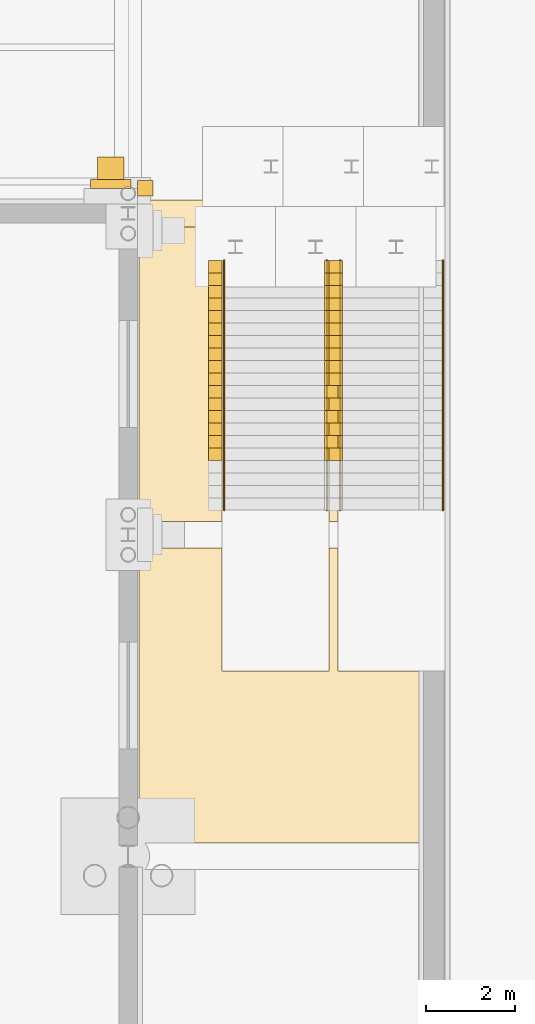
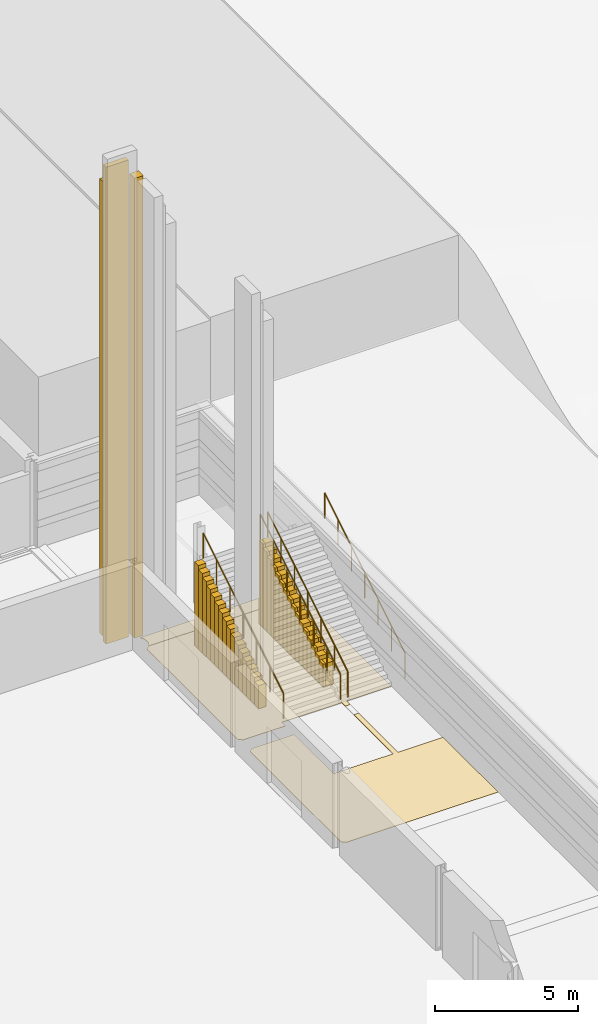
# One storey, part 137 of 148: 54 coverings, 4 railings.
"""IFC4 building model written with IfcOpenShell, lengths in metres."""

import ifcopenshell
import ifcopenshell.guid

model = None  # the IFC model being written
_history = None  # IfcOwnerHistory: only IFC2X3 demands one
_inside = {}  # id of a spatial element -> (the spatial element, [elements in it])
_under = {}  # id of a project, library or spatial element -> (it, [spatial elements below it])
_declared = {}  # id of a project -> (the project, [libraries it declares])
_typed = {}  # id of a type object -> (the type object, [elements of that type])
_made_of = {}  # id of a material, layer set ... -> (it, [elements and type objects made of it])


def new_model(schema):
    """Start an empty IFC model of exactly this schema.

    Asked for "IFC4X3", IfcOpenShell would pick the latest addendum, in which some entities
    have other attributes; the version numbers below select the first issue.
    IFC2X3 requires an IfcOwnerHistory on every rooted entity: one is made here for all.
    """
    global model, _history
    if schema == "IFC4X3":
        model = ifcopenshell.file(schema_version=(4, 3, 0, 0))
    else:
        model = ifcopenshell.file(schema=schema)
    _inside.clear()
    _under.clear()
    _declared.clear()
    _typed.clear()
    _made_of.clear()
    _history = None
    if model.schema == "IFC2X3":
        org = make("IfcOrganization", Name="unknown")
        user = make(
            "IfcPersonAndOrganization",
            ThePerson=make("IfcPerson", FamilyName="unknown"),
            TheOrganization=org,
        )
        app = make(
            "IfcApplication",
            ApplicationDeveloper=org,
            Version="unknown",
            ApplicationFullName="unknown",
            ApplicationIdentifier="unknown",
        )
        _history = make(
            "IfcOwnerHistory",
            OwningUser=user,
            OwningApplication=app,
            ChangeAction="ADDED",
            CreationDate=0,
        )
    return model


def make(cls, **values):
    """One entity of the class cls with the attributes given. An attribute that is None is left unset."""
    return model.create_entity(
        cls, **{name: value for name, value in values.items() if value is not None}
    )


def rooted(cls, **values):
    """An entity with a GlobalId (a new one), such as an element, a storey or a relation."""
    return make(cls, GlobalId=ifcopenshell.guid.new(), OwnerHistory=_history, **values)


def si_unit(unit_type, name, prefix=None):
    """IfcSIUnit, for example si_unit("LENGTHUNIT", "METRE", prefix="MILLI")."""
    return make("IfcSIUnit", UnitType=unit_type, Prefix=prefix, Name=name)


def assignment(units):
    """IfcUnitAssignment: the units of a project."""
    return None if units is None else make("IfcUnitAssignment", Units=units)


def point(xyz):
    """IfcCartesianPoint."""
    return None if xyz is None else make("IfcCartesianPoint", Coordinates=xyz)


def direction(xyz):
    """IfcDirection."""
    return None if xyz is None else make("IfcDirection", DirectionRatios=xyz)


def frame(location, z_axis=None, x_axis=None):
    """IfcAxis2Placement3D, a coordinate frame: its origin and axes. An axis left out is left unset."""
    return make(
        "IfcAxis2Placement3D",
        Location=point(location),
        Axis=direction(z_axis),
        RefDirection=direction(x_axis),
    )


def frame_2d(location, x_axis=None):
    """IfcAxis2Placement2D, a coordinate frame in the plane: its origin and x axis."""
    return make(
        "IfcAxis2Placement2D", Location=point(location), RefDirection=direction(x_axis)
    )


def origin():
    """The frame at (0, 0, 0) with its axes left unset."""
    return frame((0.0, 0.0, 0.0))


def origin_2d():
    """The frame at (0, 0) in the plane with its x axis left unset."""
    return frame_2d((0.0, 0.0))


def place(relative_to, where):
    """IfcLocalPlacement: puts the frame where relative to a parent placement (None: the world)."""
    return make(
        "IfcLocalPlacement", PlacementRelTo=relative_to, RelativePlacement=where
    )


def context(
    kind, dimensions, precision=None, world=None, true_north=None, identifier=None
):
    """IfcGeometricRepresentationContext, for example the 3D "Model" context."""
    return make(
        "IfcGeometricRepresentationContext",
        ContextIdentifier=identifier,
        ContextType=kind,
        CoordinateSpaceDimension=dimensions,
        Precision=precision,
        WorldCoordinateSystem=world,
        TrueNorth=true_north,
    )


def subcontext(parent, identifier, kind, view, scale=None):
    """IfcGeometricRepresentationSubContext, for example "Body" below "Model"."""
    return make(
        "IfcGeometricRepresentationSubContext",
        ContextIdentifier=identifier,
        ContextType=kind,
        ParentContext=parent,
        TargetScale=scale,
        TargetView=view,
    )


def project(units=None, contexts=None):
    """IfcProject with its units and contexts."""
    return rooted(
        "IfcProject",
        Name="project",
        RepresentationContexts=contexts,
        UnitsInContext=assignment(units),
    )


def spatial(cls, under=None, at=None, **own):
    """A site, building, storey or space (cls), placed at a placement, below another one or the project."""
    s = rooted(cls, ObjectPlacement=at, **own)
    if under is not None:
        _under.setdefault(under.id(), (under, []))[1].append(s)
    return s


def polyline(points):
    """IfcPolyline through the points."""
    return make("IfcPolyline", Points=[point(p) for p in points])


def profile(cls, at=None, kind="AREA", **sizes):
    """A parametric profile (cls). Its sizes go by their IFC names, for example OverallWidth=200.0."""
    return make(cls, ProfileType=kind, Position=at, **sizes)


def rectangle(**sizes):
    """IfcRectangleProfileDef."""
    return profile("IfcRectangleProfileDef", **sizes)


def circle(**sizes):
    """IfcCircleProfileDef."""
    return profile("IfcCircleProfileDef", **sizes)


def outline(outer, holes=None, kind="AREA"):
    """IfcArbitraryClosedProfileDef: a profile drawn as a closed curve; with holes, ...WithVoids."""
    if holes is None:
        return make("IfcArbitraryClosedProfileDef", ProfileType=kind, OuterCurve=outer)
    return make(
        "IfcArbitraryProfileDefWithVoids",
        ProfileType=kind,
        OuterCurve=outer,
        InnerCurves=holes,
    )


def extrude(swept, where, along, depth):
    """IfcExtrudedAreaSolid: the profile swept, set in the frame where, extruded along a direction by depth."""
    return make(
        "IfcExtrudedAreaSolid",
        SweptArea=swept,
        Position=where,
        ExtrudedDirection=direction(along),
        Depth=depth,
    )


def shape(context_of_items, identifier, shape_type, items):
    """IfcShapeRepresentation: the items that make up one representation, for example the "Body"."""
    return make(
        "IfcShapeRepresentation",
        ContextOfItems=context_of_items,
        RepresentationIdentifier=identifier,
        RepresentationType=shape_type,
        Items=items,
    )


def material(Name=None, Category=None):
    """IfcMaterial."""
    return make("IfcMaterial", Name=Name, Category=Category)


def layer(
    of_material, thickness, ventilated=None, Name=None, Category=None, Priority=None
):
    """IfcMaterialLayer: one layer of a wall or slab, of a material (None: an air gap)."""
    return make(
        "IfcMaterialLayer",
        Material=of_material,
        LayerThickness=thickness,
        IsVentilated=ventilated,
        Name=Name,
        Category=Category,
        Priority=Priority,
    )


def layer_set(layers, Name=None):
    """IfcMaterialLayerSet."""
    return make("IfcMaterialLayerSet", MaterialLayers=layers, LayerSetName=Name)


def made_of(thing, what):
    """Note that an element or type object is made of a material, layer set ...; save() writes the relation."""
    if what is not None:
        _made_of.setdefault(what.id(), (what, []))[1].append(thing)
    return thing


def type_object(cls, material=None, **own):
    """A type object (cls), such as IfcWallType, which elements share."""
    return made_of(rooted(cls, **own), material)


def element(
    cls,
    number,
    at=None,
    inside=None,
    cuts=None,
    type_object=None,
    material=None,
    context=None,
    identifier="Body",
    shape_type=None,
    held_by="IfcProductDefinitionShape",
    body=None,
    shapes=None,
    **own,
):
    """One element of the class cls, such as IfcWall. Its Tag is "e" and its number.

    at: its placement. inside: the storey or other place that contains it. cuts: it is an
    opening in that element (IfcRelVoidsElement). A single representation is given by context,
    identifier, shape_type and body (its items); several are given by shapes. held_by: the class
    of the entity that holds the representations. save() writes the other relations.
    """
    e = rooted(cls, Tag="e%d" % number, ObjectPlacement=at, **own)
    if body is not None:
        shapes = [shape(context, identifier, shape_type, body)]
    if shapes is not None:
        e.Representation = make(held_by, Representations=shapes)
    if inside is not None:
        _inside.setdefault(inside.id(), (inside, []))[1].append(e)
    if cuts is not None:
        rooted(
            "IfcRelVoidsElement", RelatingBuildingElement=cuts, RelatedOpeningElement=e
        )
    if type_object is not None:
        _typed.setdefault(type_object.id(), (type_object, []))[1].append(e)
    return made_of(e, material)


def aggregate(whole, parts):
    """IfcRelAggregates: a whole, such as a stair, and the parts it consists of."""
    return rooted("IfcRelAggregates", RelatingObject=whole, RelatedObjects=parts)


def save(model, path):
    """Write the relations noted so far, then the file.

    IfcRelAggregates (storeys below a building ...), IfcRelContainedInSpatialStructure (elements
    in a storey), IfcRelDefinesByType, IfcRelAssociatesMaterial and IfcRelDeclares: one each for
    every whole, place, type object, material and project.
    """
    for whole, parts in _under.values():
        aggregate(whole, parts)
    for where, things in _inside.values():
        rooted(
            "IfcRelContainedInSpatialStructure",
            RelatedElements=things,
            RelatingStructure=where,
        )
    for kind, things in _typed.values():
        rooted("IfcRelDefinesByType", RelatedObjects=things, RelatingType=kind)
    for what, things in _made_of.values():
        rooted("IfcRelAssociatesMaterial", RelatedObjects=things, RelatingMaterial=what)
    for by, libraries in _declared.values():
        rooted("IfcRelDeclares", RelatingContext=by, RelatedDefinitions=libraries)
    model.write(path)


model = new_model("IFC4")

# Units and contexts
model_context = context("Model", 3, precision=1e-05, world=origin(), true_north=direction((0.0, 1.0)))
body_context = subcontext(model_context, "Body", "Model", "MODEL_VIEW")
ifc_project = project(units=[si_unit("LENGTHUNIT", "METRE"), si_unit("AREAUNIT", "SQUARE_METRE"), si_unit("VOLUMEUNIT", "CUBIC_METRE"), si_unit("PLANEANGLEUNIT", "RADIAN"), si_unit("MASSUNIT", "GRAM", prefix="KILO")], contexts=[model_context])

# Site, building, storey
site_placement = place(None, origin())
site = spatial("IfcSite", under=ifc_project, at=site_placement, CompositionType="ELEMENT")
building_placement = place(site_placement, origin())
building = spatial("IfcBuilding", under=site, at=building_placement, Name="Kupolbacken Congress Centre", CompositionType="ELEMENT")
storey_placement = place(building_placement, origin())
storey = spatial("IfcBuildingStorey", under=building, at=storey_placement, Name="L00", CompositionType="ELEMENT", Elevation=0.0)

# Coverings
ifc_material_1 = material(Name="Limestone cladding", Category="masonry")
ifc_layer_1 = layer(ifc_material_1, 0.1201171875)
ifc_layer_set_1 = layer_set([ifc_layer_1], Name="Limestone cladding")
covering_type_1 = type_object("IfcCoveringType", Name="CV1 limestone cladding band 120", PredefinedType="CLADDING", material=ifc_layer_set_1)
covering_1_placement = place(storey_placement, frame((0.0, 0.0, 0.02001953125)))
element("IfcCovering", 1, at=covering_1_placement, inside=storey, type_object=covering_type_1, Name="Stair cheek wall", PredefinedType="CLADDING", context=body_context, shape_type="SweptSolid", body=[
    extrude(outline(polyline([(206.10009765625, 109.669921875), (206.10009765625, 109.949951171875), (206.39990234375, 109.949951171875), (206.39990234375, 109.669921875), (206.10009765625, 109.669921875)])), origin(), (0.0, 0.0, 1.0), 0.987060546875),
])
covering_2_placement = place(storey_placement, frame((0.0, 0.0, 0.02001953125)))
element("IfcCovering", 2, at=covering_2_placement, inside=storey, type_object=covering_type_1, Name="Stair cheek wall", PredefinedType="CLADDING", context=body_context, shape_type="SweptSolid", body=[
    extrude(outline(polyline([(206.10009765625, 109.949951171875), (206.10009765625, 110.22998046875), (206.39990234375, 110.22998046875), (206.39990234375, 109.949951171875), (206.10009765625, 109.949951171875)])), origin(), (0.0, 0.0, 1.0), 1.158447265625),
])
covering_3_placement = place(storey_placement, frame((0.0, 0.0, 0.02001953125)))
element("IfcCovering", 3, at=covering_3_placement, inside=storey, type_object=covering_type_1, Name="Stair cheek wall", PredefinedType="CLADDING", context=body_context, shape_type="SweptSolid", body=[
    extrude(outline(polyline([(206.10009765625, 110.22998046875), (206.10009765625, 110.510009765625), (206.39990234375, 110.510009765625), (206.39990234375, 110.22998046875), (206.10009765625, 110.22998046875)])), origin(), (0.0, 0.0, 1.0), 1.329833984375),
])
covering_4_placement = place(storey_placement, frame((0.0, 0.0, 0.02001953125)))
element("IfcCovering", 4, at=covering_4_placement, inside=storey, type_object=covering_type_1, Name="Stair cheek wall", PredefinedType="CLADDING", context=body_context, shape_type="SweptSolid", body=[
    extrude(outline(polyline([(206.10009765625, 110.510009765625), (206.10009765625, 110.7900390625), (206.39990234375, 110.7900390625), (206.39990234375, 110.510009765625), (206.10009765625, 110.510009765625)])), origin(), (0.0, 0.0, 1.0), 1.501220703125),
])
covering_5_placement = place(storey_placement, frame((0.0, 0.0, 0.02001953125)))
element("IfcCovering", 5, at=covering_5_placement, inside=storey, type_object=covering_type_1, Name="Stair cheek wall", PredefinedType="CLADDING", context=body_context, shape_type="SweptSolid", body=[
    extrude(outline(polyline([(206.10009765625, 110.7900390625), (206.10009765625, 111.070068359375), (206.39990234375, 111.070068359375), (206.39990234375, 110.7900390625), (206.10009765625, 110.7900390625)])), origin(), (0.0, 0.0, 1.0), 1.672607421875),
])
covering_6_placement = place(storey_placement, frame((0.0, 0.0, 0.02001953125)))
element("IfcCovering", 6, at=covering_6_placement, inside=storey, type_object=covering_type_1, Name="Stair cheek wall", PredefinedType="CLADDING", context=body_context, shape_type="SweptSolid", body=[
    extrude(outline(polyline([(206.10009765625, 111.070068359375), (206.10009765625, 111.35009765625), (206.39990234375, 111.35009765625), (206.39990234375, 111.070068359375), (206.10009765625, 111.070068359375)])), origin(), (0.0, 0.0, 1.0), 1.843994140625),
])
covering_7_placement = place(storey_placement, frame((0.0, 0.0, 0.02001953125)))
element("IfcCovering", 7, at=covering_7_placement, inside=storey, type_object=covering_type_1, Name="Stair cheek wall", PredefinedType="CLADDING", context=body_context, shape_type="SweptSolid", body=[
    extrude(outline(polyline([(206.10009765625, 111.35009765625), (206.10009765625, 111.6298828125), (206.39990234375, 111.6298828125), (206.39990234375, 111.35009765625), (206.10009765625, 111.35009765625)])), origin(), (0.0, 0.0, 1.0), 2.015380859375),
])
covering_8_placement = place(storey_placement, frame((0.0, 0.0, 0.02001953125)))
element("IfcCovering", 8, at=covering_8_placement, inside=storey, type_object=covering_type_1, Name="Stair cheek wall", PredefinedType="CLADDING", context=body_context, shape_type="SweptSolid", body=[
    extrude(outline(polyline([(206.10009765625, 111.6298828125), (206.10009765625, 111.909912109375), (206.39990234375, 111.909912109375), (206.39990234375, 111.6298828125), (206.10009765625, 111.6298828125)])), origin(), (0.0, 0.0, 1.0), 2.186767578125),
])
covering_9_placement = place(storey_placement, frame((0.0, 0.0, 0.02001953125)))
element("IfcCovering", 9, at=covering_9_placement, inside=storey, type_object=covering_type_1, Name="Stair cheek wall", PredefinedType="CLADDING", context=body_context, shape_type="SweptSolid", body=[
    extrude(outline(polyline([(206.10009765625, 111.909912109375), (206.10009765625, 112.18994140625), (206.39990234375, 112.18994140625), (206.39990234375, 111.909912109375), (206.10009765625, 111.909912109375)])), origin(), (0.0, 0.0, 1.0), 2.358154296875),
])
covering_10_placement = place(storey_placement, frame((0.0, 0.0, 0.02001953125)))
element("IfcCovering", 10, at=covering_10_placement, inside=storey, type_object=covering_type_1, Name="Stair cheek wall", PredefinedType="CLADDING", context=body_context, shape_type="SweptSolid", body=[
    extrude(outline(polyline([(206.10009765625, 112.18994140625), (206.10009765625, 112.469970703125), (206.39990234375, 112.469970703125), (206.39990234375, 112.18994140625), (206.10009765625, 112.18994140625)])), origin(), (0.0, 0.0, 1.0), 2.529541015625),
])
covering_11_placement = place(storey_placement, frame((0.0, 0.0, 0.02001953125)))
element("IfcCovering", 11, at=covering_11_placement, inside=storey, type_object=covering_type_1, Name="Stair cheek wall", PredefinedType="CLADDING", context=body_context, shape_type="SweptSolid", body=[
    extrude(outline(polyline([(206.10009765625, 112.469970703125), (206.10009765625, 112.75), (206.39990234375, 112.75), (206.39990234375, 112.469970703125), (206.10009765625, 112.469970703125)])), origin(), (0.0, 0.0, 1.0), 2.700927734375),
])
covering_12_placement = place(storey_placement, frame((0.0, 0.0, 0.02001953125)))
element("IfcCovering", 12, at=covering_12_placement, inside=storey, type_object=covering_type_1, Name="Stair cheek wall", PredefinedType="CLADDING", context=body_context, shape_type="SweptSolid", body=[
    extrude(outline(polyline([(206.10009765625, 112.75), (206.10009765625, 113.030029296875), (206.39990234375, 113.030029296875), (206.39990234375, 112.75), (206.10009765625, 112.75)])), origin(), (0.0, 0.0, 1.0), 2.872314453125),
])
covering_13_placement = place(storey_placement, frame((0.0, 0.0, 0.02001953125)))
element("IfcCovering", 13, at=covering_13_placement, inside=storey, type_object=covering_type_1, Name="Stair cheek wall", PredefinedType="CLADDING", context=body_context, shape_type="SweptSolid", body=[
    extrude(outline(polyline([(206.10009765625, 113.030029296875), (206.10009765625, 113.31005859375), (206.39990234375, 113.31005859375), (206.39990234375, 113.030029296875), (206.10009765625, 113.030029296875)])), origin(), (0.0, 0.0, 1.0), 3.043701171875),
])
covering_14_placement = place(storey_placement, frame((0.0, 0.0, 0.02001953125)))
element("IfcCovering", 14, at=covering_14_placement, inside=storey, type_object=covering_type_1, Name="Stair cheek wall", PredefinedType="CLADDING", context=body_context, shape_type="SweptSolid", body=[
    extrude(outline(polyline([(206.10009765625, 113.31005859375), (206.10009765625, 113.590087890625), (206.39990234375, 113.590087890625), (206.39990234375, 113.31005859375), (206.10009765625, 113.31005859375)])), origin(), (0.0, 0.0, 1.0), 3.215087890625),
])
covering_15_placement = place(storey_placement, frame((0.0, 0.0, 0.02001953125)))
element("IfcCovering", 15, at=covering_15_placement, inside=storey, type_object=covering_type_1, Name="Stair cheek wall", PredefinedType="CLADDING", context=body_context, shape_type="SweptSolid", body=[
    extrude(outline(polyline([(206.10009765625, 113.590087890625), (206.10009765625, 113.8701171875), (206.39990234375, 113.8701171875), (206.39990234375, 113.590087890625), (206.10009765625, 113.590087890625)])), origin(), (0.0, 0.0, 1.0), 3.386474609375),
])
covering_16_placement = place(storey_placement, frame((0.0, 0.0, 0.02001953125)))
element("IfcCovering", 16, at=covering_16_placement, inside=storey, type_object=covering_type_1, Name="Stair cheek wall", PredefinedType="CLADDING", context=body_context, shape_type="SweptSolid", body=[
    extrude(outline(polyline([(206.10009765625, 113.8701171875), (206.10009765625, 114.14990234375), (206.39990234375, 114.14990234375), (206.39990234375, 113.8701171875), (206.10009765625, 113.8701171875)])), origin(), (0.0, 0.0, 1.0), 3.557861328125),
])
covering_17_placement = place(storey_placement, frame((0.0, 0.0, 0.02001953125)))
element("IfcCovering", 17, at=covering_17_placement, inside=storey, type_object=covering_type_1, Name="Stair cheek wall", PredefinedType="CLADDING", context=body_context, shape_type="SweptSolid", body=[
    extrude(outline(polyline([(203.699951171875, 109.669921875), (203.699951171875, 109.949951171875), (203.39990234375, 109.949951171875), (203.39990234375, 109.669921875), (203.699951171875, 109.669921875)])), origin(), (0.0, 0.0, 1.0), 0.987060546875),
])
covering_18_placement = place(storey_placement, frame((0.0, 0.0, 0.02001953125)))
element("IfcCovering", 18, at=covering_18_placement, inside=storey, type_object=covering_type_1, Name="Stair cheek wall", PredefinedType="CLADDING", context=body_context, shape_type="SweptSolid", body=[
    extrude(outline(polyline([(203.699951171875, 109.949951171875), (203.699951171875, 110.22998046875), (203.39990234375, 110.22998046875), (203.39990234375, 109.949951171875), (203.699951171875, 109.949951171875)])), origin(), (0.0, 0.0, 1.0), 1.158447265625),
])
covering_19_placement = place(storey_placement, frame((0.0, 0.0, 0.02001953125)))
element("IfcCovering", 19, at=covering_19_placement, inside=storey, type_object=covering_type_1, Name="Stair cheek wall", PredefinedType="CLADDING", context=body_context, shape_type="SweptSolid", body=[
    extrude(outline(polyline([(203.699951171875, 110.22998046875), (203.699951171875, 110.510009765625), (203.39990234375, 110.510009765625), (203.39990234375, 110.22998046875), (203.699951171875, 110.22998046875)])), origin(), (0.0, 0.0, 1.0), 1.329833984375),
])
covering_20_placement = place(storey_placement, frame((0.0, 0.0, 0.02001953125)))
element("IfcCovering", 20, at=covering_20_placement, inside=storey, type_object=covering_type_1, Name="Stair cheek wall", PredefinedType="CLADDING", context=body_context, shape_type="SweptSolid", body=[
    extrude(outline(polyline([(203.699951171875, 110.510009765625), (203.699951171875, 110.7900390625), (203.39990234375, 110.7900390625), (203.39990234375, 110.510009765625), (203.699951171875, 110.510009765625)])), origin(), (0.0, 0.0, 1.0), 1.501220703125),
])
covering_21_placement = place(storey_placement, frame((0.0, 0.0, 0.02001953125)))
element("IfcCovering", 21, at=covering_21_placement, inside=storey, type_object=covering_type_1, Name="Stair cheek wall", PredefinedType="CLADDING", context=body_context, shape_type="SweptSolid", body=[
    extrude(outline(polyline([(203.699951171875, 110.7900390625), (203.699951171875, 111.070068359375), (203.39990234375, 111.070068359375), (203.39990234375, 110.7900390625), (203.699951171875, 110.7900390625)])), origin(), (0.0, 0.0, 1.0), 1.672607421875),
])
covering_22_placement = place(storey_placement, frame((0.0, 0.0, 0.02001953125)))
element("IfcCovering", 22, at=covering_22_placement, inside=storey, type_object=covering_type_1, Name="Stair cheek wall", PredefinedType="CLADDING", context=body_context, shape_type="SweptSolid", body=[
    extrude(outline(polyline([(203.699951171875, 111.070068359375), (203.699951171875, 111.35009765625), (203.39990234375, 111.35009765625), (203.39990234375, 111.070068359375), (203.699951171875, 111.070068359375)])), origin(), (0.0, 0.0, 1.0), 1.843994140625),
])
covering_23_placement = place(storey_placement, frame((0.0, 0.0, 0.02001953125)))
element("IfcCovering", 23, at=covering_23_placement, inside=storey, type_object=covering_type_1, Name="Stair cheek wall", PredefinedType="CLADDING", context=body_context, shape_type="SweptSolid", body=[
    extrude(outline(polyline([(203.699951171875, 111.35009765625), (203.699951171875, 111.6298828125), (203.39990234375, 111.6298828125), (203.39990234375, 111.35009765625), (203.699951171875, 111.35009765625)])), origin(), (0.0, 0.0, 1.0), 2.015380859375),
])
covering_24_placement = place(storey_placement, frame((0.0, 0.0, 0.02001953125)))
element("IfcCovering", 24, at=covering_24_placement, inside=storey, type_object=covering_type_1, Name="Stair cheek wall", PredefinedType="CLADDING", context=body_context, shape_type="SweptSolid", body=[
    extrude(outline(polyline([(203.699951171875, 111.6298828125), (203.699951171875, 111.909912109375), (203.39990234375, 111.909912109375), (203.39990234375, 111.6298828125), (203.699951171875, 111.6298828125)])), origin(), (0.0, 0.0, 1.0), 2.186767578125),
])
covering_25_placement = place(storey_placement, frame((0.0, 0.0, 0.02001953125)))
element("IfcCovering", 25, at=covering_25_placement, inside=storey, type_object=covering_type_1, Name="Stair cheek wall", PredefinedType="CLADDING", context=body_context, shape_type="SweptSolid", body=[
    extrude(outline(polyline([(203.699951171875, 111.909912109375), (203.699951171875, 112.18994140625), (203.39990234375, 112.18994140625), (203.39990234375, 111.909912109375), (203.699951171875, 111.909912109375)])), origin(), (0.0, 0.0, 1.0), 2.358154296875),
])
covering_26_placement = place(storey_placement, frame((0.0, 0.0, 0.02001953125)))
element("IfcCovering", 26, at=covering_26_placement, inside=storey, type_object=covering_type_1, Name="Stair cheek wall", PredefinedType="CLADDING", context=body_context, shape_type="SweptSolid", body=[
    extrude(outline(polyline([(203.699951171875, 112.18994140625), (203.699951171875, 112.469970703125), (203.39990234375, 112.469970703125), (203.39990234375, 112.18994140625), (203.699951171875, 112.18994140625)])), origin(), (0.0, 0.0, 1.0), 2.529541015625),
])
covering_27_placement = place(storey_placement, frame((0.0, 0.0, 0.02001953125)))
element("IfcCovering", 27, at=covering_27_placement, inside=storey, type_object=covering_type_1, Name="Stair cheek wall", PredefinedType="CLADDING", context=body_context, shape_type="SweptSolid", body=[
    extrude(outline(polyline([(203.699951171875, 112.469970703125), (203.699951171875, 112.75), (203.39990234375, 112.75), (203.39990234375, 112.469970703125), (203.699951171875, 112.469970703125)])), origin(), (0.0, 0.0, 1.0), 2.700927734375),
])
covering_28_placement = place(storey_placement, frame((0.0, 0.0, 0.02001953125)))
element("IfcCovering", 28, at=covering_28_placement, inside=storey, type_object=covering_type_1, Name="Stair cheek wall", PredefinedType="CLADDING", context=body_context, shape_type="SweptSolid", body=[
    extrude(outline(polyline([(203.699951171875, 112.75), (203.699951171875, 113.030029296875), (203.39990234375, 113.030029296875), (203.39990234375, 112.75), (203.699951171875, 112.75)])), origin(), (0.0, 0.0, 1.0), 2.872314453125),
])
covering_29_placement = place(storey_placement, frame((0.0, 0.0, 0.02001953125)))
element("IfcCovering", 29, at=covering_29_placement, inside=storey, type_object=covering_type_1, Name="Stair cheek wall", PredefinedType="CLADDING", context=body_context, shape_type="SweptSolid", body=[
    extrude(outline(polyline([(203.699951171875, 113.030029296875), (203.699951171875, 113.31005859375), (203.39990234375, 113.31005859375), (203.39990234375, 113.030029296875), (203.699951171875, 113.030029296875)])), origin(), (0.0, 0.0, 1.0), 3.043701171875),
])
covering_30_placement = place(storey_placement, frame((0.0, 0.0, 0.02001953125)))
element("IfcCovering", 30, at=covering_30_placement, inside=storey, type_object=covering_type_1, Name="Stair cheek wall", PredefinedType="CLADDING", context=body_context, shape_type="SweptSolid", body=[
    extrude(outline(polyline([(203.699951171875, 113.31005859375), (203.699951171875, 113.590087890625), (203.39990234375, 113.590087890625), (203.39990234375, 113.31005859375), (203.699951171875, 113.31005859375)])), origin(), (0.0, 0.0, 1.0), 3.215087890625),
])
covering_31_placement = place(storey_placement, frame((0.0, 0.0, 0.02001953125)))
element("IfcCovering", 31, at=covering_31_placement, inside=storey, type_object=covering_type_1, Name="Stair cheek wall", PredefinedType="CLADDING", context=body_context, shape_type="SweptSolid", body=[
    extrude(outline(polyline([(203.699951171875, 113.590087890625), (203.699951171875, 113.8701171875), (203.39990234375, 113.8701171875), (203.39990234375, 113.590087890625), (203.699951171875, 113.590087890625)])), origin(), (0.0, 0.0, 1.0), 3.386474609375),
])
covering_32_placement = place(storey_placement, frame((0.0, 0.0, 0.02001953125)))
element("IfcCovering", 32, at=covering_32_placement, inside=storey, type_object=covering_type_1, Name="Stair cheek wall", PredefinedType="CLADDING", context=body_context, shape_type="SweptSolid", body=[
    extrude(outline(polyline([(203.699951171875, 113.8701171875), (203.699951171875, 114.14990234375), (203.39990234375, 114.14990234375), (203.39990234375, 113.8701171875), (203.699951171875, 113.8701171875)])), origin(), (0.0, 0.0, 1.0), 3.557861328125),
])
covering_33_placement = place(storey_placement, frame((0.0, 0.0, 0.02001953125)))
element("IfcCovering", 33, at=covering_33_placement, inside=storey, type_object=covering_type_1, Name="Stair cheek wall", PredefinedType="CLADDING", context=body_context, shape_type="SweptSolid", body=[
    extrude(outline(polyline([(206.300048828125, 109.669921875), (206.300048828125, 109.949951171875), (206.0, 109.949951171875), (206.0, 109.669921875), (206.300048828125, 109.669921875)])), origin(), (0.0, 0.0, 1.0), 0.987060546875),
])
covering_34_placement = place(storey_placement, frame((0.0, 0.0, 0.02001953125)))
element("IfcCovering", 34, at=covering_34_placement, inside=storey, type_object=covering_type_1, Name="Stair cheek wall", PredefinedType="CLADDING", context=body_context, shape_type="SweptSolid", body=[
    extrude(outline(polyline([(206.300048828125, 109.949951171875), (206.300048828125, 110.22998046875), (206.0, 110.22998046875), (206.0, 109.949951171875), (206.300048828125, 109.949951171875)])), origin(), (0.0, 0.0, 1.0), 1.158447265625),
])
covering_35_placement = place(storey_placement, frame((0.0, 0.0, 0.02001953125)))
element("IfcCovering", 35, at=covering_35_placement, inside=storey, type_object=covering_type_1, Name="Stair cheek wall", PredefinedType="CLADDING", context=body_context, shape_type="SweptSolid", body=[
    extrude(outline(polyline([(206.300048828125, 110.22998046875), (206.300048828125, 110.510009765625), (206.0, 110.510009765625), (206.0, 110.22998046875), (206.300048828125, 110.22998046875)])), origin(), (0.0, 0.0, 1.0), 1.329833984375),
])
covering_36_placement = place(storey_placement, frame((0.0, 0.0, 0.02001953125)))
element("IfcCovering", 36, at=covering_36_placement, inside=storey, type_object=covering_type_1, Name="Stair cheek wall", PredefinedType="CLADDING", context=body_context, shape_type="SweptSolid", body=[
    extrude(outline(polyline([(206.300048828125, 110.510009765625), (206.300048828125, 110.7900390625), (206.0, 110.7900390625), (206.0, 110.510009765625), (206.300048828125, 110.510009765625)])), origin(), (0.0, 0.0, 1.0), 1.501220703125),
])
covering_37_placement = place(storey_placement, frame((0.0, 0.0, 0.02001953125)))
element("IfcCovering", 37, at=covering_37_placement, inside=storey, type_object=covering_type_1, Name="Stair cheek wall", PredefinedType="CLADDING", context=body_context, shape_type="SweptSolid", body=[
    extrude(outline(polyline([(206.300048828125, 110.7900390625), (206.300048828125, 111.070068359375), (206.0, 111.070068359375), (206.0, 110.7900390625), (206.300048828125, 110.7900390625)])), origin(), (0.0, 0.0, 1.0), 1.672607421875),
])
covering_38_placement = place(storey_placement, frame((0.0, 0.0, 0.02001953125)))
element("IfcCovering", 38, at=covering_38_placement, inside=storey, type_object=covering_type_1, Name="Stair cheek wall", PredefinedType="CLADDING", context=body_context, shape_type="SweptSolid", body=[
    extrude(outline(polyline([(206.300048828125, 111.070068359375), (206.300048828125, 111.35009765625), (206.0, 111.35009765625), (206.0, 111.070068359375), (206.300048828125, 111.070068359375)])), origin(), (0.0, 0.0, 1.0), 1.843994140625),
])
covering_39_placement = place(storey_placement, frame((0.0, 0.0, 0.02001953125)))
element("IfcCovering", 39, at=covering_39_placement, inside=storey, type_object=covering_type_1, Name="Stair cheek wall", PredefinedType="CLADDING", context=body_context, shape_type="SweptSolid", body=[
    extrude(outline(polyline([(206.300048828125, 111.35009765625), (206.300048828125, 111.6298828125), (206.0, 111.6298828125), (206.0, 111.35009765625), (206.300048828125, 111.35009765625)])), origin(), (0.0, 0.0, 1.0), 2.015380859375),
])
covering_40_placement = place(storey_placement, frame((0.0, 0.0, 0.02001953125)))
element("IfcCovering", 40, at=covering_40_placement, inside=storey, type_object=covering_type_1, Name="Stair cheek wall", PredefinedType="CLADDING", context=body_context, shape_type="SweptSolid", body=[
    extrude(outline(polyline([(206.300048828125, 111.6298828125), (206.300048828125, 111.909912109375), (206.0, 111.909912109375), (206.0, 111.6298828125), (206.300048828125, 111.6298828125)])), origin(), (0.0, 0.0, 1.0), 2.186767578125),
])
covering_41_placement = place(storey_placement, frame((0.0, 0.0, 0.02001953125)))
element("IfcCovering", 41, at=covering_41_placement, inside=storey, type_object=covering_type_1, Name="Stair cheek wall", PredefinedType="CLADDING", context=body_context, shape_type="SweptSolid", body=[
    extrude(outline(polyline([(206.300048828125, 111.909912109375), (206.300048828125, 112.18994140625), (206.0, 112.18994140625), (206.0, 111.909912109375), (206.300048828125, 111.909912109375)])), origin(), (0.0, 0.0, 1.0), 2.358154296875),
])
covering_42_placement = place(storey_placement, frame((0.0, 0.0, 0.02001953125)))
element("IfcCovering", 42, at=covering_42_placement, inside=storey, type_object=covering_type_1, Name="Stair cheek wall", PredefinedType="CLADDING", context=body_context, shape_type="SweptSolid", body=[
    extrude(outline(polyline([(206.300048828125, 112.18994140625), (206.300048828125, 112.469970703125), (206.0, 112.469970703125), (206.0, 112.18994140625), (206.300048828125, 112.18994140625)])), origin(), (0.0, 0.0, 1.0), 2.529541015625),
])
covering_43_placement = place(storey_placement, frame((0.0, 0.0, 0.02001953125)))
element("IfcCovering", 43, at=covering_43_placement, inside=storey, type_object=covering_type_1, Name="Stair cheek wall", PredefinedType="CLADDING", context=body_context, shape_type="SweptSolid", body=[
    extrude(outline(polyline([(206.300048828125, 112.469970703125), (206.300048828125, 112.75), (206.0, 112.75), (206.0, 112.469970703125), (206.300048828125, 112.469970703125)])), origin(), (0.0, 0.0, 1.0), 2.700927734375),
])
covering_44_placement = place(storey_placement, frame((0.0, 0.0, 0.02001953125)))
element("IfcCovering", 44, at=covering_44_placement, inside=storey, type_object=covering_type_1, Name="Stair cheek wall", PredefinedType="CLADDING", context=body_context, shape_type="SweptSolid", body=[
    extrude(outline(polyline([(206.300048828125, 112.75), (206.300048828125, 113.030029296875), (206.0, 113.030029296875), (206.0, 112.75), (206.300048828125, 112.75)])), origin(), (0.0, 0.0, 1.0), 2.872314453125),
])
covering_45_placement = place(storey_placement, frame((0.0, 0.0, 0.02001953125)))
element("IfcCovering", 45, at=covering_45_placement, inside=storey, type_object=covering_type_1, Name="Stair cheek wall", PredefinedType="CLADDING", context=body_context, shape_type="SweptSolid", body=[
    extrude(outline(polyline([(206.300048828125, 113.030029296875), (206.300048828125, 113.31005859375), (206.0, 113.31005859375), (206.0, 113.030029296875), (206.300048828125, 113.030029296875)])), origin(), (0.0, 0.0, 1.0), 3.043701171875),
])
covering_46_placement = place(storey_placement, frame((0.0, 0.0, 0.02001953125)))
element("IfcCovering", 46, at=covering_46_placement, inside=storey, type_object=covering_type_1, Name="Stair cheek wall", PredefinedType="CLADDING", context=body_context, shape_type="SweptSolid", body=[
    extrude(outline(polyline([(206.300048828125, 113.31005859375), (206.300048828125, 113.590087890625), (206.0, 113.590087890625), (206.0, 113.31005859375), (206.300048828125, 113.31005859375)])), origin(), (0.0, 0.0, 1.0), 3.215087890625),
])
covering_47_placement = place(storey_placement, frame((0.0, 0.0, 0.02001953125)))
element("IfcCovering", 47, at=covering_47_placement, inside=storey, type_object=covering_type_1, Name="Stair cheek wall", PredefinedType="CLADDING", context=body_context, shape_type="SweptSolid", body=[
    extrude(outline(polyline([(206.300048828125, 113.590087890625), (206.300048828125, 113.8701171875), (206.0, 113.8701171875), (206.0, 113.590087890625), (206.300048828125, 113.590087890625)])), origin(), (0.0, 0.0, 1.0), 3.386474609375),
])
covering_48_placement = place(storey_placement, frame((0.0, 0.0, 0.02001953125)))
element("IfcCovering", 48, at=covering_48_placement, inside=storey, type_object=covering_type_1, Name="Stair cheek wall", PredefinedType="CLADDING", context=body_context, shape_type="SweptSolid", body=[
    extrude(outline(polyline([(206.300048828125, 113.8701171875), (206.300048828125, 114.14990234375), (206.0, 114.14990234375), (206.0, 113.8701171875), (206.300048828125, 113.8701171875)])), origin(), (0.0, 0.0, 1.0), 3.557861328125),
])
ifc_material_2 = material(Name="Limestone cladding", Category="masonry")
ifc_layer_2 = layer(ifc_material_2, 0.35009765625)
ifc_layer_set_2 = layer_set([ifc_layer_2], Name="Limestone cladding")
covering_type_2 = type_object("IfcCoveringType", Name="CV3 limestone pilaster strip 350", PredefinedType="CLADDING", material=ifc_layer_set_2)
covering_49_placement = place(storey_placement, frame((201.985107421875, 115.760009765625, 0.0), z_axis=(0.0, 0.0, 1.0), x_axis=(1.0, 0.0, 0.0)))
element("IfcCovering", 49, at=covering_49_placement, inside=storey, type_object=covering_type_2, Name="F/H/corner/N/E/0", PredefinedType="CLADDING", context=body_context, shape_type="SweptSolid", body=[
    extrude(rectangle(XDim=0.35009765625, YDim=0.35009765625, at=origin_2d()), origin(), (0.0, 0.0, 1.0), 19.60009765625),
])
ifc_material_3 = material(Name="Limestone cladding", Category="masonry")
ifc_layer_3 = layer(ifc_material_3, 0.5)
ifc_layer_set_3 = layer_set([ifc_layer_3], Name="Limestone cladding")
covering_type_3 = type_object("IfcCoveringType", Name="CV8 limestone drum pier 500", PredefinedType="CLADDING", material=ifc_layer_set_3)
covering_50_placement = place(storey_placement, frame((201.2099609375, 116.2099609375, 0.0), z_axis=(0.0, 0.0, 1.0), x_axis=(1.0, 0.0, 0.0)))
element("IfcCovering", 50, at=covering_50_placement, inside=storey, type_object=covering_type_3, Name="F/HR/H/N/butt/16-0/0", PredefinedType="CLADDING", context=body_context, shape_type="SweptSolid", body=[
    extrude(rectangle(XDim=0.60009765625, YDim=0.5, at=origin_2d()), origin(), (0.0, 0.0, 1.0), 19.385009765625),
])
ifc_material_4 = material(Name="Limestone cladding", Category="masonry")
ifc_layer_4 = layer(ifc_material_4, 0.199951171875)
ifc_layer_set_4 = layer_set([ifc_layer_4], Name="Limestone cladding")
covering_type_4 = type_object("IfcCoveringType", Name="CV9 limestone drum arch frame 200", PredefinedType="CLADDING", material=ifc_layer_set_4)
covering_51_placement = place(storey_placement, frame((201.2099609375, 115.860107421875, 0.0), z_axis=(0.0, 0.0, 1.0), x_axis=(1.0, 0.0, 0.0)))
element("IfcCovering", 51, at=covering_51_placement, inside=storey, type_object=covering_type_4, Name="F/HR/H/N/rib/16-0/0", PredefinedType="CLADDING", context=body_context, shape_type="SweptSolid", body=[
    extrude(rectangle(XDim=0.89990234375, YDim=0.199951171875, at=origin_2d()), origin(), (0.0, 0.0, 1.0), 20.3349609375),
])
ifc_material_5 = material(Name="Limestone cladding", Category="masonry")
ifc_layer_5 = layer(ifc_material_5, 0.02001953125)
ifc_layer_set_5 = layer_set([ifc_layer_5], Name="Limestone cladding")
covering_type_5 = type_object("IfcCoveringType", Name="GF1 limestone paving 20", PredefinedType="FLOORING", material=ifc_layer_set_5)
covering_52_placement = place(storey_placement, origin())
element("IfcCovering", 52, at=covering_52_placement, inside=storey, type_object=covering_type_5, Name="East paving band", PredefinedType="FLOORING", context=body_context, shape_type="SweptSolid", body=[
    extrude(outline(polyline([(201.974365234375, 114.89990234375), (201.9990234375, 114.933349609375), (202.0234375, 114.9736328125), (202.04345703125, 115.016357421875), (202.059326171875, 115.060791015625), (202.07080078125, 115.106201171875), (202.07763671875, 115.15283203125), (202.080078125, 115.199951171875), (202.07763671875, 115.2470703125), (202.07080078125, 115.293701171875), (202.059326171875, 115.33935546875), (202.04345703125, 115.3837890625), (202.0234375, 115.42626953125), (201.9990234375, 115.466796875), (201.974365234375, 115.5), (208.110107421875, 115.5), (208.110107421875, 114.89990234375), (201.974365234375, 114.89990234375)])), origin(), (0.0, 0.0, 1.0), 0.02001953125),
])
ifc_material_6 = material(Name="Brick", Category="masonry")
ifc_layer_6 = layer(ifc_material_6, 0.02001953125)
ifc_layer_set_6 = layer_set([ifc_layer_6], Name="Brick")
covering_type_6 = type_object("IfcCoveringType", Name="GF2 brick paving 20", PredefinedType="FLOORING", material=ifc_layer_set_6)
covering_53_placement = place(storey_placement, origin())
element("IfcCovering", 53, at=covering_53_placement, inside=storey, type_object=covering_type_6, Name="East strip brick paving", PredefinedType="FLOORING", context=body_context, shape_type="SweptSolid", body=[
    extrude(outline(polyline([(208.110107421875, 108.552490234375), (206.297607421875, 108.552490234375), (206.297607421875, 108.300048828125), (206.1025390625, 108.300048828125), (206.1025390625, 108.552490234375), (203.697509765625, 108.552490234375), (203.697509765625, 108.300048828125), (201.974365234375, 108.300048828125), (201.939453125, 108.33935546875), (201.904541015625, 108.37109375), (201.86669921875, 108.399169921875), (201.840087890625, 108.4150390625), (201.840087890625, 114.784912109375), (201.86669921875, 114.80078125), (201.904541015625, 114.828857421875), (201.939453125, 114.860595703125), (201.974365234375, 114.89990234375), (208.110107421875, 114.89990234375), (208.110107421875, 108.552490234375)])), origin(), (0.0, 0.0, 1.0), 0.02001953125),
])
covering_54_placement = place(storey_placement, origin())
element("IfcCovering", 54, at=covering_54_placement, inside=storey, type_object=covering_type_6, Name="East strip brick paving", PredefinedType="FLOORING", context=body_context, shape_type="SweptSolid", body=[
    extrude(outline(polyline([(206.297607421875, 104.947509765625), (208.110107421875, 104.947509765625), (208.110107421875, 101.10009765625), (201.974365234375, 101.10009765625), (201.939453125, 101.139404296875), (201.904541015625, 101.171142578125), (201.86669921875, 101.19921875), (201.840087890625, 101.215087890625), (201.840087890625, 107.5849609375), (201.86669921875, 107.600830078125), (201.904541015625, 107.62890625), (201.939453125, 107.66064453125), (201.974365234375, 107.699951171875), (203.697509765625, 107.699951171875), (203.697509765625, 104.947509765625), (206.1025390625, 104.947509765625), (206.1025390625, 107.699951171875), (206.297607421875, 107.699951171875), (206.297607421875, 104.947509765625)])), origin(), (0.0, 0.0, 1.0), 0.02001953125),
])

# Railings
ifc_material_7 = material(Name="Steel S235", Category="steel")
railing_type = type_object("IfcRailingType", Name="RL2 stair guard with handrail 900 / 1100", PredefinedType="GUARDRAIL", material=ifc_material_7)
for number, where, name in (
    (55, (203.75, 108.550048828125, 0.17138671875), "C/xguard/XS2/XS2-A/W"),
    (56, (206.050048828125, 108.550048828125, 0.17138671875), "C/xguard/XS2/XS2-A/E"),
    (57, (206.35009765625, 108.550048828125, 0.17138671875), "C/xguard/XS3/XS3-A/W"),
    (58, (208.64990234375, 108.550048828125, 0.17138671875), "C/xguard/XS3/XS3-A/E"),
):
    element("IfcRailing", number, at=place(storey_placement, frame(where)), inside=storey, type_object=railing_type, Name=name, PredefinedType="GUARDRAIL", context=body_context, shape_type="SweptSolid", body=[
        extrude(circle(Radius=0.02392578125, at=origin_2d()), frame((0.0, 0.0, 1.076171875), z_axis=(0.0, 0.852885433425, 0.522098110944), x_axis=(-1.0, 0.0, 0.0)), (0.0, 0.0, 1.0), 6.565673828125),
        extrude(circle(Radius=0.02099609375, at=origin_2d()), origin(), (0.0, 0.0, 1.0), 1.052001953125),
        extrude(circle(Radius=0.02099609375, at=origin_2d()), frame((0.0, 0.933349609375, 0.5712890625)), (0.0, 0.0, 1.0), 1.052001953125),
        extrude(circle(Radius=0.02099609375, at=origin_2d()), frame((0.0, 1.86669921875, 1.142578125)), (0.0, 0.0, 1.0), 1.052001953125),
        extrude(circle(Radius=0.02099609375, at=origin_2d()), frame((0.0, 2.7998046875, 1.7138671875)), (0.0, 0.0, 1.0), 1.052001953125),
        extrude(circle(Radius=0.02099609375, at=origin_2d()), frame((0.0, 3.733154296875, 2.285400390625)), (0.0, 0.0, 1.0), 1.052001953125),
        extrude(circle(Radius=0.02099609375, at=origin_2d()), frame((0.0, 4.66650390625, 2.856689453125)), (0.0, 0.0, 1.0), 1.052001953125),
        extrude(circle(Radius=0.02099609375, at=origin_2d()), frame((0.0, 5.599853515625, 3.427978515625)), (0.0, 0.0, 1.0), 1.052001953125),
    ])

save(model, "model.ifc")
